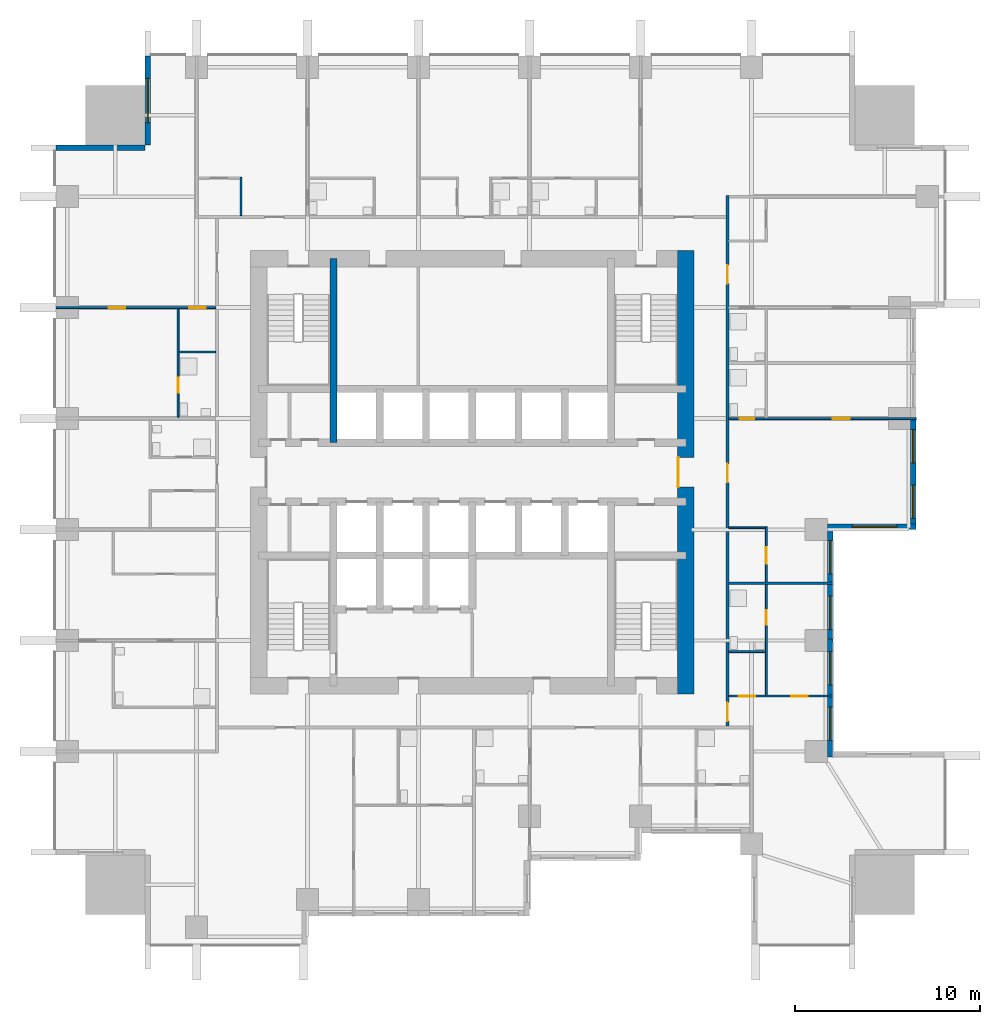
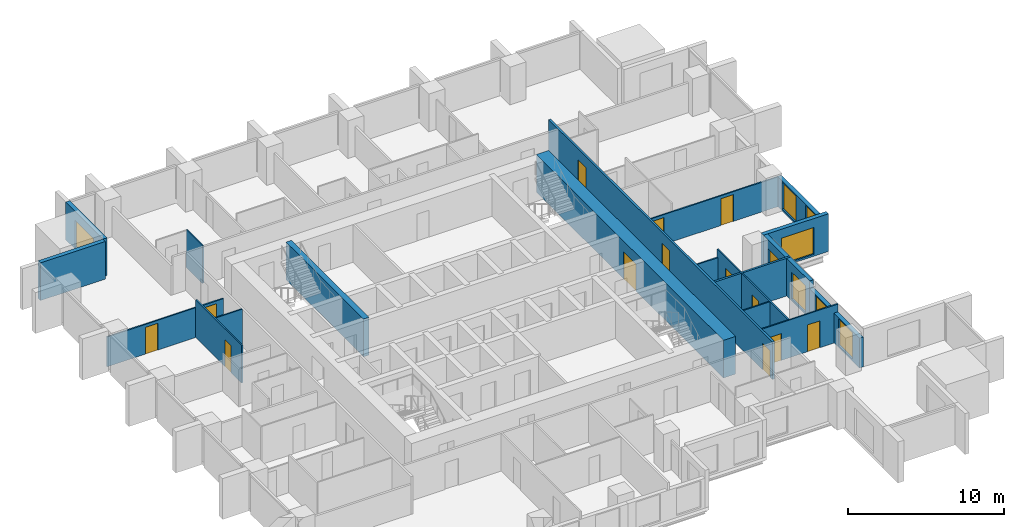
# One storey, part 6 of 10: 19 walls, 13 doors, 8 windows, 21 openings.
"""IFC4 building model written with IfcOpenShell, lengths in metres."""

from ifc_helpers import new_model, si_unit, direction, frame, frame_2d, origin, place, context, subcontext, project, spatial, rectangle, extrude, material, layer, layer_set, type_object, element, fill, save


model = new_model("IFC4")

# Units and contexts
model_context = context("Model", 3, precision=1e-05, world=origin(), true_north=direction((0.0, 1.0)))
body_context = subcontext(model_context, "Body", "Model", "MODEL_VIEW")
ifc_project = project(units=[si_unit("LENGTHUNIT", "METRE"), si_unit("AREAUNIT", "SQUARE_METRE"), si_unit("VOLUMEUNIT", "CUBIC_METRE"), si_unit("PLANEANGLEUNIT", "RADIAN"), si_unit("MASSUNIT", "GRAM", prefix="KILO")], contexts=[model_context])

# Site, building, storey
site_placement = place(None, origin())
site = spatial("IfcSite", under=ifc_project, at=site_placement, CompositionType="ELEMENT")
building_placement = place(site_placement, origin())
building = spatial("IfcBuilding", under=site, at=building_placement, Name="Amberfall Residences", CompositionType="ELEMENT")
storey_placement = place(building_placement, frame((0.0, 0.0, 66.39990234375)))
storey = spatial("IfcBuildingStorey", under=building, at=storey_placement, Name="L18", CompositionType="ELEMENT", Elevation=66.39990234375)

# Wall, opening, window
ifc_material_1 = material(Name="Pale stone cladding on insulated backing", Category="masonry")
ifc_layer_1 = layer(ifc_material_1, 0.300048828125)
ifc_layer_set_1 = layer_set([ifc_layer_1], Name="Bronze clad wall 300")
wall_type_1 = type_object("IfcWallType", Name="Bronze clad wall 300", PredefinedType="SOLIDWALL", material=ifc_layer_set_1)
wall_1_placement = place(storey_placement, frame((93.699951171875, 42.550048828125, 0.0), z_axis=(0.0, 0.0, 1.0), x_axis=(1.0, 0.0, 0.0)))
wall_1 = element("IfcWall", 1, at=wall_1_placement, inside=storey, type_object=wall_type_1, Name="External wall L18 E", PredefinedType="SOLIDWALL", context=body_context, shape_type="SweptSolid", body=[
    extrude(rectangle(XDim=4.800048828125, YDim=0.300048828125, at=frame_2d((2.39990234375, 0.0))), origin(), (0.0, 0.0, 1.0), 2.9501953125),
])
opening_1_placement = place(wall_1_placement, frame((1.35009765625, 0.0, 0.14990234375)))
opening_1 = element("IfcOpeningElement", 2, at=opening_1_placement, cuts=wall_1, Name="Opening WN5", PredefinedType="OPENING", context=body_context, shape_type="SweptSolid", body=[
    extrude(rectangle(XDim=2.39990234375, YDim=2.10009765625, at=frame_2d((1.199951171875, 1.050048828125))), frame((0.0, 0.159912109375, 0.0), z_axis=(0.0, -1.0, 0.0), x_axis=(1.0, 0.0, 0.0)), (0.0, 0.0, 1.0), 0.320068359375),
])
ifc_material_2 = material(Name="Bronze aluminium framed glazing", Category="aluminium")
window_type_1 = type_object("IfcWindowType", Name="Glazed opening 2400 x 2100 bronze", PartitioningType="DOUBLE_PANEL_VERTICAL", PredefinedType="WINDOW", material=ifc_material_2)
window_1_placement = place(opening_1_placement, origin())
window_1 = element("IfcWindow", 3, at=window_1_placement, inside=storey, type_object=window_type_1, Name="Window L18 E", OverallHeight=2.10009765625, OverallWidth=2.39990234375, PartitioningType="DOUBLE_PANEL_VERTICAL", PredefinedType="WINDOW", context=body_context, shape_type="SweptSolid", body=[
    extrude(rectangle(XDim=2.39990234375, YDim=2.10009765625, at=frame_2d((1.199951171875, 1.050048828125))), frame((0.0, 0.030029296875, 0.0), z_axis=(0.0, -1.0, 0.0), x_axis=(1.0, 0.0, 0.0)), (0.0, 0.0, 1.0), 0.06005859375),
])
fill(opening_1, window_1)

wall_2_placement = place(storey_placement, frame((56.949951171875, 68.0, 0.0), z_axis=(0.0, 0.0, 1.0), x_axis=(0.0, -1.0, 0.0)))
wall_2 = element("IfcWall", 4, at=wall_2_placement, inside=storey, type_object=wall_type_1, Name="External wall L18 NW", PredefinedType="SOLIDWALL", context=body_context, shape_type="SweptSolid", body=[
    extrude(rectangle(XDim=4.800048828125, YDim=0.300048828125, at=frame_2d((2.39990234375, 0.0))), origin(), (0.0, 0.0, 1.0), 2.9501953125),
])
opening_2_placement = place(wall_2_placement, frame((1.199951171875, 0.0, 0.14990234375)))
opening_2 = element("IfcOpeningElement", 5, at=opening_2_placement, cuts=wall_2, Name="Opening WN5", PredefinedType="OPENING", context=body_context, shape_type="SweptSolid", body=[
    extrude(rectangle(XDim=2.39990234375, YDim=2.10009765625, at=frame_2d((1.199951171875, 1.050048828125))), frame((0.0, 0.159912109375, 0.0), z_axis=(0.0, -1.0, 0.0), x_axis=(1.0, 0.0, 0.0)), (0.0, 0.0, 1.0), 0.320068359375),
])
window_2_placement = place(opening_2_placement, origin())
window_2 = element("IfcWindow", 6, at=window_2_placement, inside=storey, type_object=window_type_1, Name="Window L18 NW", OverallHeight=2.10009765625, OverallWidth=2.39990234375, PartitioningType="DOUBLE_PANEL_VERTICAL", PredefinedType="WINDOW", context=body_context, shape_type="SweptSolid", body=[
    extrude(rectangle(XDim=2.39990234375, YDim=2.10009765625, at=frame_2d((1.199951171875, 1.050048828125))), frame((0.0, 0.030029296875, 0.0), z_axis=(0.0, -1.0, 0.0), x_axis=(1.0, 0.0, 0.0)), (0.0, 0.0, 1.0), 0.06005859375),
])
fill(opening_2, window_2)

# Wall
wall_3_placement = place(storey_placement, frame((56.800048828125, 63.050048828125, 0.0), z_axis=(0.0, 0.0, 1.0), x_axis=(-1.0, 0.0, 0.0)))
element("IfcWall", 7, at=wall_3_placement, inside=storey, type_object=wall_type_1, Name="External wall L18 NW", PredefinedType="SOLIDWALL", context=body_context, shape_type="SweptSolid", body=[
    extrude(rectangle(XDim=4.800048828125, YDim=0.300048828125, at=frame_2d((2.39990234375, 0.0))), origin(), (0.0, 0.0, 1.0), 2.9501953125),
])

# Wall, openings, windows
wall_4_placement = place(storey_placement, frame((93.85009765625, 30.10009765625, 0.0), z_axis=(0.0, 0.0, 1.0), x_axis=(0.0, 1.0, 0.0)))
wall_4 = element("IfcWall", 8, at=wall_4_placement, inside=storey, type_object=wall_type_1, Name="Stone wall L18 E", PredefinedType="SOLIDWALL", context=body_context, shape_type="SweptSolid", body=[
    extrude(rectangle(XDim=6.389892578125, YDim=0.300048828125, at=frame_2d((3.19482421875, 0.0))), origin(), (0.0, 0.0, 1.0), 2.340576171875),
])
opening_3_placement = place(wall_4_placement, frame((0.89990234375, 0.0, 0.14990234375)))
opening_3 = element("IfcOpeningElement", 9, at=opening_3_placement, cuts=wall_4, Name="Opening WN6", PredefinedType="OPENING", context=body_context, shape_type="SweptSolid", body=[
    extrude(rectangle(XDim=1.800048828125, YDim=2.10009765625, at=frame_2d((0.89990234375, 1.050048828125))), frame((0.0, 0.159912109375, 0.0), z_axis=(0.0, -1.0, 0.0), x_axis=(1.0, 0.0, 0.0)), (0.0, 0.0, 1.0), 0.320068359375),
])
opening_4_placement = place(wall_4_placement, frame((3.89990234375, 0.0, 0.14990234375)))
opening_4 = element("IfcOpeningElement", 10, at=opening_4_placement, cuts=wall_4, Name="Opening WN6", PredefinedType="OPENING", context=body_context, shape_type="SweptSolid", body=[
    extrude(rectangle(XDim=1.800048828125, YDim=2.10009765625, at=frame_2d((0.89990234375, 1.050048828125))), frame((0.0, 0.159912109375, 0.0), z_axis=(0.0, -1.0, 0.0), x_axis=(1.0, 0.0, 0.0)), (0.0, 0.0, 1.0), 0.320068359375),
])
window_type_2 = type_object("IfcWindowType", Name="Glazed opening 1800 x 2100 bronze", PartitioningType="DOUBLE_PANEL_VERTICAL", PredefinedType="WINDOW", material=ifc_material_2)
window_3_placement = place(opening_3_placement, origin())
window_3 = element("IfcWindow", 11, at=window_3_placement, inside=storey, type_object=window_type_2, Name="Window L18 E", OverallHeight=2.10009765625, OverallWidth=1.800048828125, PartitioningType="DOUBLE_PANEL_VERTICAL", PredefinedType="WINDOW", context=body_context, shape_type="SweptSolid", body=[
    extrude(rectangle(XDim=1.800048828125, YDim=2.10009765625, at=frame_2d((0.89990234375, 1.050048828125))), frame((0.0, 0.030029296875, 0.0), z_axis=(0.0, -1.0, 0.0), x_axis=(1.0, 0.0, 0.0)), (0.0, 0.0, 1.0), 0.06005859375),
])
fill(opening_3, window_3)
window_4_placement = place(opening_4_placement, origin())
window_4 = element("IfcWindow", 12, at=window_4_placement, inside=storey, type_object=window_type_2, Name="Window L18 E", OverallHeight=2.10009765625, OverallWidth=1.800048828125, PartitioningType="DOUBLE_PANEL_VERTICAL", PredefinedType="WINDOW", context=body_context, shape_type="SweptSolid", body=[
    extrude(rectangle(XDim=1.800048828125, YDim=2.10009765625, at=frame_2d((0.89990234375, 1.050048828125))), frame((0.0, 0.030029296875, 0.0), z_axis=(0.0, -1.0, 0.0), x_axis=(1.0, 0.0, 0.0)), (0.0, 0.0, 1.0), 0.06005859375),
])
fill(opening_4, window_4)

wall_5_placement = place(storey_placement, frame((93.85009765625, 36.489990234375, 0.0), z_axis=(0.0, 0.0, 1.0), x_axis=(0.0, 1.0, 0.0)))
wall_5 = element("IfcWall", 13, at=wall_5_placement, inside=storey, type_object=wall_type_1, Name="Stone wall L18 E", PredefinedType="SOLIDWALL", context=body_context, shape_type="SweptSolid", body=[
    extrude(rectangle(XDim=5.909912109375, YDim=0.300048828125, at=frame_2d((2.955078125, 0.0))), origin(), (0.0, 0.0, 1.0), 2.9501953125),
])
opening_5_placement = place(wall_5_placement, frame((0.510009765625, 0.0, 0.14990234375)))
opening_5 = element("IfcOpeningElement", 14, at=opening_5_placement, cuts=wall_5, Name="Opening WN6", PredefinedType="OPENING", context=body_context, shape_type="SweptSolid", body=[
    extrude(rectangle(XDim=1.800048828125, YDim=2.10009765625, at=frame_2d((0.89990234375, 1.050048828125))), frame((0.0, 0.159912109375, 0.0), z_axis=(0.0, -1.0, 0.0), x_axis=(1.0, 0.0, 0.0)), (0.0, 0.0, 1.0), 0.320068359375),
])
opening_6_placement = place(wall_5_placement, frame((3.510009765625, 0.0, 0.14990234375)))
opening_6 = element("IfcOpeningElement", 15, at=opening_6_placement, cuts=wall_5, Name="Opening WN6", PredefinedType="OPENING", context=body_context, shape_type="SweptSolid", body=[
    extrude(rectangle(XDim=1.800048828125, YDim=2.10009765625, at=frame_2d((0.89990234375, 1.050048828125))), frame((0.0, 0.159912109375, 0.0), z_axis=(0.0, -1.0, 0.0), x_axis=(1.0, 0.0, 0.0)), (0.0, 0.0, 1.0), 0.320068359375),
])
window_5_placement = place(opening_5_placement, origin())
window_5 = element("IfcWindow", 16, at=window_5_placement, inside=storey, type_object=window_type_2, Name="Window L18 E", OverallHeight=2.10009765625, OverallWidth=1.800048828125, PartitioningType="DOUBLE_PANEL_VERTICAL", PredefinedType="WINDOW", context=body_context, shape_type="SweptSolid", body=[
    extrude(rectangle(XDim=1.800048828125, YDim=2.10009765625, at=frame_2d((0.89990234375, 1.050048828125))), frame((0.0, 0.030029296875, 0.0), z_axis=(0.0, -1.0, 0.0), x_axis=(1.0, 0.0, 0.0)), (0.0, 0.0, 1.0), 0.06005859375),
])
fill(opening_5, window_5)
window_6_placement = place(opening_6_placement, origin())
window_6 = element("IfcWindow", 17, at=window_6_placement, inside=storey, type_object=window_type_2, Name="Window L18 E", OverallHeight=2.10009765625, OverallWidth=1.800048828125, PartitioningType="DOUBLE_PANEL_VERTICAL", PredefinedType="WINDOW", context=body_context, shape_type="SweptSolid", body=[
    extrude(rectangle(XDim=1.800048828125, YDim=2.10009765625, at=frame_2d((0.89990234375, 1.050048828125))), frame((0.0, 0.030029296875, 0.0), z_axis=(0.0, -1.0, 0.0), x_axis=(1.0, 0.0, 0.0)), (0.0, 0.0, 1.0), 0.06005859375),
])
fill(opening_6, window_6)

wall_6_placement = place(storey_placement, frame((98.35009765625, 42.699951171875, 0.0), z_axis=(0.0, 0.0, 1.0), x_axis=(0.0, 1.0, 0.0)))
wall_6 = element("IfcWall", 18, at=wall_6_placement, inside=storey, type_object=wall_type_1, Name="Stone wall L18 E", PredefinedType="SOLIDWALL", context=body_context, shape_type="SweptSolid", body=[
    extrude(rectangle(XDim=5.699951171875, YDim=0.300048828125, at=frame_2d((2.85009765625, 0.0))), origin(), (0.0, 0.0, 1.0), 2.340576171875),
])
opening_7_placement = place(wall_6_placement, frame((0.300048828125, 0.0, 0.14990234375)))
opening_7 = element("IfcOpeningElement", 19, at=opening_7_placement, cuts=wall_6, Name="Opening WN6", PredefinedType="OPENING", context=body_context, shape_type="SweptSolid", body=[
    extrude(rectangle(XDim=1.800048828125, YDim=2.10009765625, at=frame_2d((0.89990234375, 1.050048828125))), frame((0.0, 0.159912109375, 0.0), z_axis=(0.0, -1.0, 0.0), x_axis=(1.0, 0.0, 0.0)), (0.0, 0.0, 1.0), 0.320068359375),
])
opening_8_placement = place(wall_6_placement, frame((3.300048828125, 0.0, 0.14990234375)))
opening_8 = element("IfcOpeningElement", 20, at=opening_8_placement, cuts=wall_6, Name="Opening WN6", PredefinedType="OPENING", context=body_context, shape_type="SweptSolid", body=[
    extrude(rectangle(XDim=1.800048828125, YDim=2.10009765625, at=frame_2d((0.89990234375, 1.050048828125))), frame((0.0, 0.159912109375, 0.0), z_axis=(0.0, -1.0, 0.0), x_axis=(1.0, 0.0, 0.0)), (0.0, 0.0, 1.0), 0.320068359375),
])
window_7_placement = place(opening_7_placement, origin())
window_7 = element("IfcWindow", 21, at=window_7_placement, inside=storey, type_object=window_type_2, Name="Window L18 E", OverallHeight=2.10009765625, OverallWidth=1.800048828125, PartitioningType="DOUBLE_PANEL_VERTICAL", PredefinedType="WINDOW", context=body_context, shape_type="SweptSolid", body=[
    extrude(rectangle(XDim=1.800048828125, YDim=2.10009765625, at=frame_2d((0.89990234375, 1.050048828125))), frame((0.0, 0.030029296875, 0.0), z_axis=(0.0, -1.0, 0.0), x_axis=(1.0, 0.0, 0.0)), (0.0, 0.0, 1.0), 0.06005859375),
])
fill(opening_7, window_7)
window_8_placement = place(opening_8_placement, origin())
window_8 = element("IfcWindow", 22, at=window_8_placement, inside=storey, type_object=window_type_2, Name="Window L18 E", OverallHeight=2.10009765625, OverallWidth=1.800048828125, PartitioningType="DOUBLE_PANEL_VERTICAL", PredefinedType="WINDOW", context=body_context, shape_type="SweptSolid", body=[
    extrude(rectangle(XDim=1.800048828125, YDim=2.10009765625, at=frame_2d((0.89990234375, 1.050048828125))), frame((0.0, 0.030029296875, 0.0), z_axis=(0.0, -1.0, 0.0), x_axis=(1.0, 0.0, 0.0)), (0.0, 0.0, 1.0), 0.06005859375),
])
fill(opening_8, window_8)

# Wall
ifc_material_3 = material(Name="Concrete C80", Category="concrete")
ifc_layer_2 = layer(ifc_material_3, 0.39990234375)
ifc_layer_set_2 = layer_set([ifc_layer_2], Name="Core wall 400 C80")
wall_type_2 = type_object("IfcWallType", Name="Core wall 400 C80", PredefinedType="SHEAR", material=ifc_layer_set_2)
wall_7_placement = place(storey_placement, frame((67.0, 47.10009765625, 0.0), z_axis=(0.0, 0.0, 1.0), x_axis=(0.0, 1.0, 0.0)))
element("IfcWall", 23, at=wall_7_placement, inside=storey, type_object=wall_type_2, Name="Core wall RW2 L18 V45N", PredefinedType="SHEAR", context=body_context, shape_type="SweptSolid", body=[
    extrude(rectangle(XDim=9.949951171875, YDim=0.39990234375, at=frame_2d((4.97509765625, 0.0))), origin(), (0.0, 0.0, 1.0), 2.9501953125),
])

# Wall, opening, door
ifc_layer_3 = layer(ifc_material_3, 0.89990234375)
ifc_layer_set_3 = layer_set([ifc_layer_3], Name="Core wall 900 C80")
wall_type_3 = type_object("IfcWallType", Name="Core wall 900 C80", PredefinedType="SHEAR", material=ifc_layer_set_3)
wall_8_placement = place(storey_placement, frame((86.050048828125, 33.5, 0.0), z_axis=(0.0, 0.0, 1.0), x_axis=(0.0, 1.0, 0.0)))
wall_8 = element("IfcWall", 24, at=wall_8_placement, inside=storey, type_object=wall_type_3, Name="Core wall RW1 L18 OE", PredefinedType="SHEAR", context=body_context, shape_type="SweptSolid", body=[
    extrude(rectangle(XDim=24.0, YDim=0.89990234375, at=frame_2d((12.0, 0.0))), origin(), (0.0, 0.0, 1.0), 2.9501953125),
])
opening_9_placement = place(wall_8_placement, frame((11.199951171875, 0.0, 0.0)))
opening_9 = element("IfcOpeningElement", 25, at=opening_9_placement, cuts=wall_8, Name="Opening LB1", PredefinedType="OPENING", context=body_context, shape_type="SweptSolid", body=[
    extrude(rectangle(XDim=1.60009765625, YDim=2.10009765625, at=frame_2d((0.800048828125, 1.050048828125))), frame((0.0, 0.4599609375, 0.0), z_axis=(0.0, -1.0, 0.0), x_axis=(1.0, 0.0, 0.0)), (0.0, 0.0, 1.0), 0.919921875),
])
ifc_material_4 = material(Name="Steel fire door set", Category="steel")
door_type_1 = type_object("IfcDoorType", Name="Lift lobby double door 1600 x 2100", OperationType="DOUBLE_DOOR_SINGLE_SWING", PredefinedType="DOOR", material=ifc_material_4)
door_1_placement = place(opening_9_placement, origin())
door_1 = element("IfcDoor", 26, at=door_1_placement, inside=storey, type_object=door_type_1, Name="LB1 L18", OperationType="DOUBLE_DOOR_SINGLE_SWING", OverallHeight=2.10009765625, OverallWidth=1.60009765625, PredefinedType="DOOR", context=body_context, shape_type="SweptSolid", body=[
    extrude(rectangle(XDim=1.60009765625, YDim=2.10009765625, at=frame_2d((0.800048828125, 1.050048828125))), frame((0.0, 0.4375, 0.0), z_axis=(0.0, -1.0, 0.0), x_axis=(1.0, 0.0, 0.0)), (0.0, 0.0, 1.0), 0.050048828125),
])
fill(opening_9, door_1)

ifc_material_5 = material(Name="Gypsum board on metal stud")
ifc_layer_4 = layer(ifc_material_5, 0.10009765625)
ifc_layer_set_4 = layer_set([ifc_layer_4], Name="Flat partition 100")
wall_type_4 = type_object("IfcWallType", Name="Flat partition 100", PredefinedType="PARTITIONING", material=ifc_layer_set_4)
wall_9_placement = place(storey_placement, frame((58.60009765625, 54.35009765625, 0.0), z_axis=(0.0, 0.0, 1.0), x_axis=(0.0, -1.0, 0.0)))
wall_9 = element("IfcWall", 27, at=wall_9_placement, inside=storey, type_object=wall_type_4, Name="Partition 005", PredefinedType="PARTITIONING", context=body_context, shape_type="SweptSolid", body=[
    extrude(rectangle(XDim=5.875, YDim=0.10009765625, at=frame_2d((2.9375, 0.0))), origin(), (0.0, 0.0, 1.0), 2.9501953125),
])
opening_10_placement = place(wall_9_placement, frame((3.75, 0.0, 0.0)))
opening_10 = element("IfcOpeningElement", 28, at=opening_10_placement, cuts=wall_9, Name="Opening D42", PredefinedType="OPENING", context=body_context, shape_type="SweptSolid", body=[
    extrude(rectangle(XDim=0.800048828125, YDim=2.10009765625, at=frame_2d((0.39990234375, 1.050048828125))), frame((0.0, 0.06005859375, 0.0), z_axis=(0.0, -1.0, 0.0), x_axis=(1.0, 0.0, 0.0)), (0.0, 0.0, 1.0), 0.1201171875),
])
ifc_material_6 = material(Name="Timber", Category="wood")
door_type_2 = type_object("IfcDoorType", Name="Bathroom door 800 x 2100", OperationType="SINGLE_SWING_LEFT", PredefinedType="DOOR", material=ifc_material_6)
door_2_placement = place(opening_10_placement, origin())
door_2 = element("IfcDoor", 29, at=door_2_placement, inside=storey, type_object=door_type_2, Name="Door 1811 bath1", OperationType="SINGLE_SWING_LEFT", OverallHeight=2.10009765625, OverallWidth=0.800048828125, PredefinedType="DOOR", context=body_context, shape_type="SweptSolid", body=[
    extrude(rectangle(XDim=0.800048828125, YDim=2.10009765625, at=frame_2d((0.39990234375, 1.050048828125))), frame((0.0, 0.02490234375, 0.0), z_axis=(0.0, -1.0, 0.0), x_axis=(1.0, 0.0, 0.0)), (0.0, 0.0, 1.0), 0.050048828125),
])
fill(opening_10, door_2)

# Wall
wall_10_placement = place(storey_placement, frame((62.0, 59.375, 0.0), z_axis=(0.0, 0.0, 1.0), x_axis=(0.0, 1.0, 0.0)))
element("IfcWall", 30, at=wall_10_placement, inside=storey, type_object=wall_type_4, Name="Partition 006", PredefinedType="PARTITIONING", context=body_context, shape_type="SweptSolid", body=[
    extrude(rectangle(XDim=2.074951171875, YDim=0.10009765625, at=frame_2d((1.03759765625, 0.0))), origin(), (0.0, 0.0, 1.0), 2.9501953125),
])

# Wall, openings, doors
wall_11_placement = place(storey_placement, frame((90.39990234375, 33.449951171875, 0.0), z_axis=(0.0, 0.0, 1.0), x_axis=(0.0, 1.0, 0.0)))
wall_11 = element("IfcWall", 31, at=wall_11_placement, inside=storey, type_object=wall_type_4, Name="Partition 018", PredefinedType="PARTITIONING", context=body_context, shape_type="SweptSolid", body=[
    extrude(rectangle(XDim=9.10009765625, YDim=0.10009765625, at=frame_2d((4.550048828125, 0.0))), origin(), (0.0, 0.0, 1.0), 2.9501953125),
])
opening_11_placement = place(wall_11_placement, frame((3.800048828125, 0.0, 0.0)))
opening_11 = element("IfcOpeningElement", 32, at=opening_11_placement, cuts=wall_11, Name="Opening D42", PredefinedType="OPENING", context=body_context, shape_type="SweptSolid", body=[
    extrude(rectangle(XDim=0.800048828125, YDim=2.10009765625, at=frame_2d((0.39990234375, 1.050048828125))), frame((0.0, 0.06005859375, 0.0), z_axis=(0.0, -1.0, 0.0), x_axis=(1.0, 0.0, 0.0)), (0.0, 0.0, 1.0), 0.1201171875),
])
opening_12_placement = place(wall_11_placement, frame((7.10009765625, 0.0, 0.0)))
opening_12 = element("IfcOpeningElement", 33, at=opening_12_placement, cuts=wall_11, Name="Opening D41", PredefinedType="OPENING", context=body_context, shape_type="SweptSolid", body=[
    extrude(rectangle(XDim=0.89990234375, YDim=2.10009765625, at=frame_2d((0.449951171875, 1.050048828125))), frame((0.0, 0.06005859375, 0.0), z_axis=(0.0, -1.0, 0.0), x_axis=(1.0, 0.0, 0.0)), (0.0, 0.0, 1.0), 0.1201171875),
])
door_3_placement = place(opening_11_placement, origin())
door_3 = element("IfcDoor", 34, at=door_3_placement, inside=storey, type_object=door_type_2, Name="Door 1803 bath1", OperationType="SINGLE_SWING_LEFT", OverallHeight=2.10009765625, OverallWidth=0.800048828125, PredefinedType="DOOR", context=body_context, shape_type="SweptSolid", body=[
    extrude(rectangle(XDim=0.800048828125, YDim=2.10009765625, at=frame_2d((0.39990234375, 1.050048828125))), frame((0.0, 0.02490234375, 0.0), z_axis=(0.0, -1.0, 0.0), x_axis=(1.0, 0.0, 0.0)), (0.0, 0.0, 1.0), 0.050048828125),
])
fill(opening_11, door_3)
door_type_3 = type_object("IfcDoorType", Name="Internal door 900 x 2100", OperationType="SINGLE_SWING_LEFT", PredefinedType="DOOR", material=ifc_material_6)
door_4_placement = place(opening_12_placement, origin())
door_4 = element("IfcDoor", 35, at=door_4_placement, inside=storey, type_object=door_type_3, Name="Door 1804 kitchen", OperationType="SINGLE_SWING_LEFT", OverallHeight=2.10009765625, OverallWidth=0.89990234375, PredefinedType="DOOR", context=body_context, shape_type="SweptSolid", body=[
    extrude(rectangle(XDim=0.89990234375, YDim=2.10009765625, at=frame_2d((0.449951171875, 1.050048828125))), frame((0.0, 0.02490234375, 0.0), z_axis=(0.0, -1.0, 0.0), x_axis=(1.0, 0.0, 0.0)), (0.0, 0.0, 1.0), 0.050048828125),
])
fill(opening_12, door_4)

wall_12_placement = place(storey_placement, frame((60.625, 54.39990234375, 0.0), z_axis=(0.0, 0.0, 1.0), x_axis=(-1.0, 0.0, 0.0)))
wall_12 = element("IfcWall", 36, at=wall_12_placement, inside=storey, type_object=wall_type_4, Name="Partition 026", PredefinedType="PARTITIONING", context=body_context, shape_type="SweptSolid", body=[
    extrude(rectangle(XDim=8.625, YDim=0.10009765625, at=frame_2d((4.3125, 0.0))), origin(), (0.0, 0.0, 1.0), 2.33203125),
])
opening_13_placement = place(wall_12_placement, frame((0.52490234375, 0.0, 0.0)))
opening_13 = element("IfcOpeningElement", 37, at=opening_13_placement, cuts=wall_12, Name="Opening D41", PredefinedType="OPENING", context=body_context, shape_type="SweptSolid", body=[
    extrude(rectangle(XDim=0.89990234375, YDim=2.10009765625, at=frame_2d((0.449951171875, 1.050048828125))), frame((0.0, 0.06005859375, 0.0), z_axis=(0.0, -1.0, 0.0), x_axis=(1.0, 0.0, 0.0)), (0.0, 0.0, 1.0), 0.1201171875),
])
opening_14_placement = place(wall_12_placement, frame((4.875, 0.0, 0.0)))
opening_14 = element("IfcOpeningElement", 38, at=opening_14_placement, cuts=wall_12, Name="Opening D41", PredefinedType="OPENING", context=body_context, shape_type="SweptSolid", body=[
    extrude(rectangle(XDim=0.89990234375, YDim=2.10009765625, at=frame_2d((0.449951171875, 1.050048828125))), frame((0.0, 0.06005859375, 0.0), z_axis=(0.0, -1.0, 0.0), x_axis=(1.0, 0.0, 0.0)), (0.0, 0.0, 1.0), 0.1201171875),
])
door_5_placement = place(opening_13_placement, origin())
door_5 = element("IfcDoor", 39, at=door_5_placement, inside=storey, type_object=door_type_3, Name="Door 1811 kitchen", OperationType="SINGLE_SWING_LEFT", OverallHeight=2.10009765625, OverallWidth=0.89990234375, PredefinedType="DOOR", context=body_context, shape_type="SweptSolid", body=[
    extrude(rectangle(XDim=0.89990234375, YDim=2.10009765625, at=frame_2d((0.449951171875, 1.050048828125))), frame((0.0, 0.02490234375, 0.0), z_axis=(0.0, -1.0, 0.0), x_axis=(1.0, 0.0, 0.0)), (0.0, 0.0, 1.0), 0.050048828125),
])
fill(opening_13, door_5)
door_6_placement = place(opening_14_placement, origin())
door_6 = element("IfcDoor", 40, at=door_6_placement, inside=storey, type_object=door_type_3, Name="Door 1811 bedroom1", OperationType="SINGLE_SWING_LEFT", OverallHeight=2.10009765625, OverallWidth=0.89990234375, PredefinedType="DOOR", context=body_context, shape_type="SweptSolid", body=[
    extrude(rectangle(XDim=0.89990234375, YDim=2.10009765625, at=frame_2d((0.449951171875, 1.050048828125))), frame((0.0, 0.02490234375, 0.0), z_axis=(0.0, -1.0, 0.0), x_axis=(1.0, 0.0, 0.0)), (0.0, 0.0, 1.0), 0.050048828125),
])
fill(opening_14, door_6)

# Wall
wall_13_placement = place(storey_placement, frame((58.64990234375, 52.0, 0.0), z_axis=(0.0, 0.0, 1.0), x_axis=(1.0, 0.0, 0.0)))
element("IfcWall", 41, at=wall_13_placement, inside=storey, type_object=wall_type_4, Name="Partition 028", PredefinedType="PARTITIONING", context=body_context, shape_type="SweptSolid", body=[
    extrude(rectangle(XDim=1.97509765625, YDim=0.10009765625, at=frame_2d((0.987548828125, 0.0))), origin(), (0.0, 0.0, 1.0), 2.9501953125),
])

# Wall, openings, doors
wall_14_placement = place(storey_placement, frame((88.375, 48.39990234375, 0.0), z_axis=(0.0, 0.0, 1.0), x_axis=(1.0, 0.0, 0.0)))
wall_14 = element("IfcWall", 42, at=wall_14_placement, inside=storey, type_object=wall_type_4, Name="Partition 029", PredefinedType="PARTITIONING", context=body_context, shape_type="SweptSolid", body=[
    extrude(rectangle(XDim=10.125, YDim=0.10009765625, at=frame_2d((5.0625, 0.0))), origin(), (0.0, 0.0, 1.0), 2.33203125),
])
opening_15_placement = place(wall_14_placement, frame((5.625, 0.0, 0.0)))
opening_15 = element("IfcOpeningElement", 43, at=opening_15_placement, cuts=wall_14, Name="Opening D41", PredefinedType="OPENING", context=body_context, shape_type="SweptSolid", body=[
    extrude(rectangle(XDim=0.89990234375, YDim=2.10009765625, at=frame_2d((0.449951171875, 1.050048828125))), frame((0.0, 0.06005859375, 0.0), z_axis=(0.0, -1.0, 0.0), x_axis=(1.0, 0.0, 0.0)), (0.0, 0.0, 1.0), 0.1201171875),
])
opening_16_placement = place(wall_14_placement, frame((0.574951171875, 0.0, 0.0)))
opening_16 = element("IfcOpeningElement", 44, at=opening_16_placement, cuts=wall_14, Name="Opening D42", PredefinedType="OPENING", context=body_context, shape_type="SweptSolid", body=[
    extrude(rectangle(XDim=0.800048828125, YDim=2.10009765625, at=frame_2d((0.39990234375, 1.050048828125))), frame((0.0, 0.06005859375, 0.0), z_axis=(0.0, -1.0, 0.0), x_axis=(1.0, 0.0, 0.0)), (0.0, 0.0, 1.0), 0.1201171875),
])
door_7_placement = place(opening_16_placement, origin())
door_7 = element("IfcDoor", 45, at=door_7_placement, inside=storey, type_object=door_type_2, Name="Door 1804 bath1", OperationType="SINGLE_SWING_LEFT", OverallHeight=2.10009765625, OverallWidth=0.800048828125, PredefinedType="DOOR", context=body_context, shape_type="SweptSolid", body=[
    extrude(rectangle(XDim=0.800048828125, YDim=2.10009765625, at=frame_2d((0.39990234375, 1.050048828125))), frame((0.0, 0.02490234375, 0.0), z_axis=(0.0, -1.0, 0.0), x_axis=(1.0, 0.0, 0.0)), (0.0, 0.0, 1.0), 0.050048828125),
])
fill(opening_16, door_7)
door_8_placement = place(opening_15_placement, origin())
door_8 = element("IfcDoor", 46, at=door_8_placement, inside=storey, type_object=door_type_3, Name="Door 1804 bedroom1", OperationType="SINGLE_SWING_LEFT", OverallHeight=2.10009765625, OverallWidth=0.89990234375, PredefinedType="DOOR", context=body_context, shape_type="SweptSolid", body=[
    extrude(rectangle(XDim=0.89990234375, YDim=2.10009765625, at=frame_2d((0.449951171875, 1.050048828125))), frame((0.0, 0.02490234375, 0.0), z_axis=(0.0, -1.0, 0.0), x_axis=(1.0, 0.0, 0.0)), (0.0, 0.0, 1.0), 0.050048828125),
])
fill(opening_15, door_8)

# Walls
wall_15_placement = place(storey_placement, frame((88.375, 42.5, 0.0), z_axis=(0.0, 0.0, 1.0), x_axis=(1.0, 0.0, 0.0)))
element("IfcWall", 47, at=wall_15_placement, inside=storey, type_object=wall_type_4, Name="Partition 032", PredefinedType="PARTITIONING", context=body_context, shape_type="SweptSolid", body=[
    extrude(rectangle(XDim=1.97509765625, YDim=0.10009765625, at=frame_2d((0.987548828125, 0.0))), origin(), (0.0, 0.0, 1.0), 2.33203125),
])
wall_16_placement = place(storey_placement, frame((88.375, 35.800048828125, 0.0), z_axis=(0.0, 0.0, 1.0), x_axis=(1.0, 0.0, 0.0)))
element("IfcWall", 48, at=wall_16_placement, inside=storey, type_object=wall_type_4, Name="Partition 035", PredefinedType="PARTITIONING", context=body_context, shape_type="SweptSolid", body=[
    extrude(rectangle(XDim=1.97509765625, YDim=0.10009765625, at=frame_2d((0.987548828125, 0.0))), origin(), (0.0, 0.0, 1.0), 2.9501953125),
])

# Wall, openings, doors
wall_17_placement = place(storey_placement, frame((88.375, 33.39990234375, 0.0), z_axis=(0.0, 0.0, 1.0), x_axis=(1.0, 0.0, 0.0)))
wall_17 = element("IfcWall", 49, at=wall_17_placement, inside=storey, type_object=wall_type_4, Name="Partition 036", PredefinedType="PARTITIONING", context=body_context, shape_type="SweptSolid", body=[
    extrude(rectangle(XDim=5.625, YDim=0.10009765625, at=frame_2d((2.8125, 0.0))), origin(), (0.0, 0.0, 1.0), 2.9501953125),
])
opening_17_placement = place(wall_17_placement, frame((0.52490234375, 0.0, 0.0)))
opening_17 = element("IfcOpeningElement", 50, at=opening_17_placement, cuts=wall_17, Name="Opening D41", PredefinedType="OPENING", context=body_context, shape_type="SweptSolid", body=[
    extrude(rectangle(XDim=0.89990234375, YDim=2.10009765625, at=frame_2d((0.449951171875, 1.050048828125))), frame((0.0, 0.06005859375, 0.0), z_axis=(0.0, -1.0, 0.0), x_axis=(1.0, 0.0, 0.0)), (0.0, 0.0, 1.0), 0.1201171875),
])
opening_18_placement = place(wall_17_placement, frame((3.375, 0.0, 0.0)))
opening_18 = element("IfcOpeningElement", 51, at=opening_18_placement, cuts=wall_17, Name="Opening D41", PredefinedType="OPENING", context=body_context, shape_type="SweptSolid", body=[
    extrude(rectangle(XDim=0.89990234375, YDim=2.10009765625, at=frame_2d((0.449951171875, 1.050048828125))), frame((0.0, 0.06005859375, 0.0), z_axis=(0.0, -1.0, 0.0), x_axis=(1.0, 0.0, 0.0)), (0.0, 0.0, 1.0), 0.1201171875),
])
door_9_placement = place(opening_17_placement, origin())
door_9 = element("IfcDoor", 52, at=door_9_placement, inside=storey, type_object=door_type_3, Name="Door 1803 kitchen", OperationType="SINGLE_SWING_LEFT", OverallHeight=2.10009765625, OverallWidth=0.89990234375, PredefinedType="DOOR", context=body_context, shape_type="SweptSolid", body=[
    extrude(rectangle(XDim=0.89990234375, YDim=2.10009765625, at=frame_2d((0.449951171875, 1.050048828125))), frame((0.0, 0.02490234375, 0.0), z_axis=(0.0, -1.0, 0.0), x_axis=(1.0, 0.0, 0.0)), (0.0, 0.0, 1.0), 0.050048828125),
])
fill(opening_17, door_9)
door_10_placement = place(opening_18_placement, origin())
door_10 = element("IfcDoor", 53, at=door_10_placement, inside=storey, type_object=door_type_3, Name="Door 1803 bedroom1", OperationType="SINGLE_SWING_LEFT", OverallHeight=2.10009765625, OverallWidth=0.89990234375, PredefinedType="DOOR", context=body_context, shape_type="SweptSolid", body=[
    extrude(rectangle(XDim=0.89990234375, YDim=2.10009765625, at=frame_2d((0.449951171875, 1.050048828125))), frame((0.0, 0.02490234375, 0.0), z_axis=(0.0, -1.0, 0.0), x_axis=(1.0, 0.0, 0.0)), (0.0, 0.0, 1.0), 0.050048828125),
])
fill(opening_18, door_10)

ifc_material_7 = material(Name="Blockwork, plastered", Category="masonry")
ifc_layer_5 = layer(ifc_material_7, 0.14990234375)
ifc_layer_set_5 = layer_set([ifc_layer_5], Name="Flat separating wall 150")
wall_type_5 = type_object("IfcWallType", Name="Flat separating wall 150", PredefinedType="PARTITIONING", material=ifc_layer_set_5)
wall_18_placement = place(storey_placement, frame((88.300048828125, 60.47509765625, 0.0), z_axis=(0.0, 0.0, 1.0), x_axis=(0.0, -1.0, 0.0)))
wall_18 = element("IfcWall", 54, at=wall_18_placement, inside=storey, type_object=wall_type_5, Name="Separating wall 046", PredefinedType="PARTITIONING", context=body_context, shape_type="SweptSolid", body=[
    extrude(rectangle(XDim=28.7001953125, YDim=0.14990234375, at=frame_2d((14.35009765625, 0.0))), origin(), (0.0, 0.0, 1.0), 2.9501953125),
])
opening_19_placement = place(wall_18_placement, frame((27.425048828125, 0.0, 0.0)))
opening_19 = element("IfcOpeningElement", 55, at=opening_19_placement, cuts=wall_18, Name="Opening D40", PredefinedType="OPENING", context=body_context, shape_type="SweptSolid", body=[
    extrude(rectangle(XDim=1.0, YDim=2.10009765625, at=frame_2d((0.5, 1.050048828125))), frame((0.0, 0.0849609375, 0.0), z_axis=(0.0, -1.0, 0.0), x_axis=(1.0, 0.0, 0.0)), (0.0, 0.0, 1.0), 0.169921875),
])
opening_20_placement = place(wall_18_placement, frame((14.52490234375, 0.0, 0.0)))
opening_20 = element("IfcOpeningElement", 56, at=opening_20_placement, cuts=wall_18, Name="Opening D40", PredefinedType="OPENING", context=body_context, shape_type="SweptSolid", body=[
    extrude(rectangle(XDim=1.0, YDim=2.10009765625, at=frame_2d((0.5, 1.050048828125))), frame((0.0, 0.0849609375, 0.0), z_axis=(0.0, -1.0, 0.0), x_axis=(1.0, 0.0, 0.0)), (0.0, 0.0, 1.0), 0.169921875),
])
opening_21_placement = place(wall_18_placement, frame((3.77490234375, 0.0, 0.0)))
opening_21 = element("IfcOpeningElement", 57, at=opening_21_placement, cuts=wall_18, Name="Opening D40", PredefinedType="OPENING", context=body_context, shape_type="SweptSolid", body=[
    extrude(rectangle(XDim=1.0, YDim=2.10009765625, at=frame_2d((0.5, 1.050048828125))), frame((0.0, 0.0849609375, 0.0), z_axis=(0.0, -1.0, 0.0), x_axis=(1.0, 0.0, 0.0)), (0.0, 0.0, 1.0), 0.169921875),
])
ifc_material_8 = material(Name="Timber, fire-rated", Category="wood")
door_type_4 = type_object("IfcDoorType", Name="Flat entrance door FD60 1000 x 2100", OperationType="SINGLE_SWING_LEFT", PredefinedType="DOOR", material=ifc_material_8)
door_11_placement = place(opening_19_placement, origin())
door_11 = element("IfcDoor", 58, at=door_11_placement, inside=storey, type_object=door_type_4, Name="Door 1803 entrance", OperationType="SINGLE_SWING_LEFT", OverallHeight=2.10009765625, OverallWidth=1.0, PredefinedType="DOOR", context=body_context, shape_type="SweptSolid", body=[
    extrude(rectangle(XDim=1.0, YDim=2.10009765625, at=frame_2d((0.5, 1.050048828125))), frame((0.0, 0.02490234375, 0.0), z_axis=(0.0, -1.0, 0.0), x_axis=(1.0, 0.0, 0.0)), (0.0, 0.0, 1.0), 0.050048828125),
])
fill(opening_19, door_11)
door_12_placement = place(opening_20_placement, origin())
door_12 = element("IfcDoor", 59, at=door_12_placement, inside=storey, type_object=door_type_4, Name="Door 1804 entrance", OperationType="SINGLE_SWING_LEFT", OverallHeight=2.10009765625, OverallWidth=1.0, PredefinedType="DOOR", context=body_context, shape_type="SweptSolid", body=[
    extrude(rectangle(XDim=1.0, YDim=2.10009765625, at=frame_2d((0.5, 1.050048828125))), frame((0.0, 0.02490234375, 0.0), z_axis=(0.0, -1.0, 0.0), x_axis=(1.0, 0.0, 0.0)), (0.0, 0.0, 1.0), 0.050048828125),
])
fill(opening_20, door_12)
door_13_placement = place(opening_21_placement, origin())
door_13 = element("IfcDoor", 60, at=door_13_placement, inside=storey, type_object=door_type_4, Name="Door 1805 entrance", OperationType="SINGLE_SWING_LEFT", OverallHeight=2.10009765625, OverallWidth=1.0, PredefinedType="DOOR", context=body_context, shape_type="SweptSolid", body=[
    extrude(rectangle(XDim=1.0, YDim=2.10009765625, at=frame_2d((0.5, 1.050048828125))), frame((0.0, 0.02490234375, 0.0), z_axis=(0.0, -1.0, 0.0), x_axis=(1.0, 0.0, 0.0)), (0.0, 0.0, 1.0), 0.050048828125),
])
fill(opening_21, door_13)

# Wall
wall_19_placement = place(storey_placement, frame((88.375, 39.5, 0.0), z_axis=(0.0, 0.0, 1.0), x_axis=(1.0, 0.0, 0.0)))
element("IfcWall", 61, at=wall_19_placement, inside=storey, type_object=wall_type_5, Name="Separating wall 053", PredefinedType="PARTITIONING", context=body_context, shape_type="SweptSolid", body=[
    extrude(rectangle(XDim=5.625, YDim=0.14990234375, at=frame_2d((2.8125, 0.0))), origin(), (0.0, 0.0, 1.0), 2.9501953125),
])

save(model, "model.ifc")
